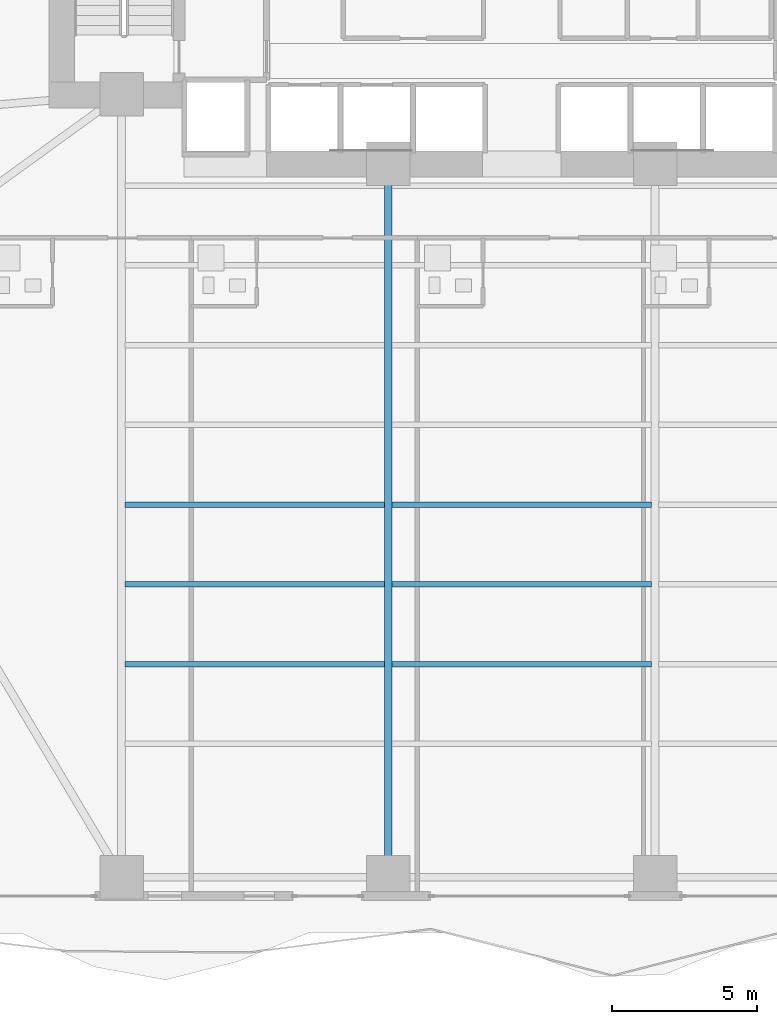
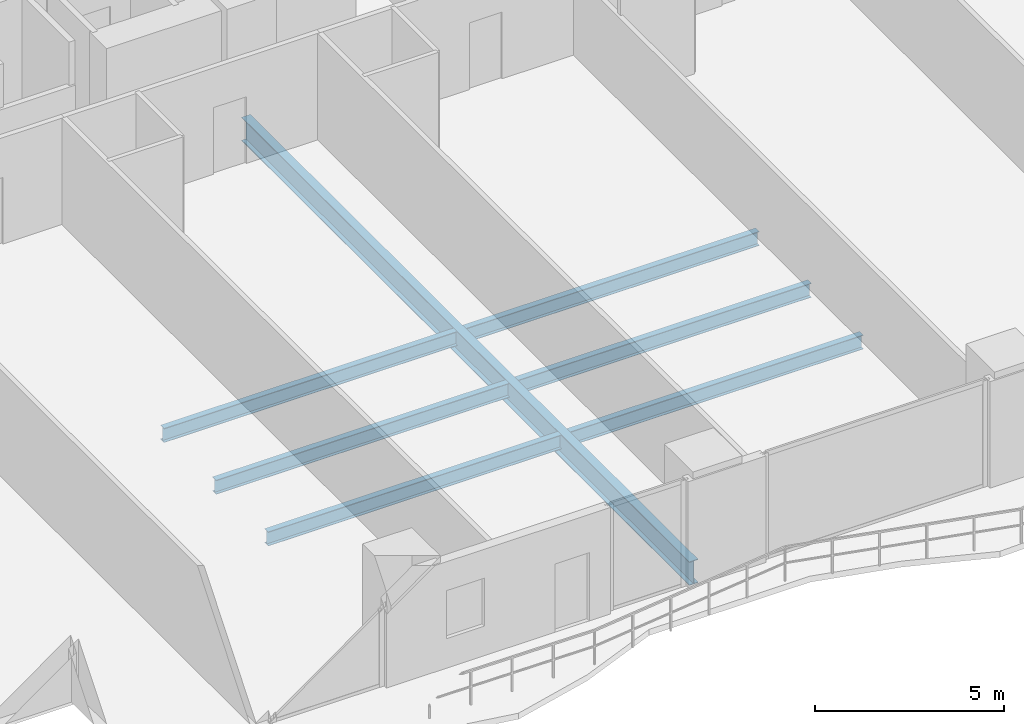
# One storey, part 5 of 28: 7 beams.
"""IFC4 building model written with IfcOpenShell, lengths in metres."""

from ifc_helpers import new_model, si_unit, direction, frame, origin, origin_2d, place, context, subcontext, project, spatial, i_section, extrude, material, material_profile, profile_set, type_object, element, save


model = new_model("IFC4")

# Units and contexts
model_context = context("Model", 3, precision=1e-05, world=origin(), true_north=direction((0.0, 1.0)))
body_context = subcontext(model_context, "Body", "Model", "MODEL_VIEW")
ifc_project = project(units=[si_unit("LENGTHUNIT", "METRE"), si_unit("AREAUNIT", "SQUARE_METRE"), si_unit("VOLUMEUNIT", "CUBIC_METRE"), si_unit("PLANEANGLEUNIT", "RADIAN"), si_unit("MASSUNIT", "GRAM", prefix="KILO")], contexts=[model_context])

# Site, building, storey
site_placement = place(None, origin())
site = spatial("IfcSite", under=ifc_project, at=site_placement, CompositionType="ELEMENT")
building_placement = place(site_placement, origin())
building = spatial("IfcBuilding", under=site, at=building_placement, Name="Zuhayl Quay Hotel", CompositionType="ELEMENT")
storey_placement = place(building_placement, frame((0.0, 0.0, 53.14990234375)))
storey = spatial("IfcBuildingStorey", under=building, at=storey_placement, Name="L12", CompositionType="ELEMENT", Elevation=53.14990234375)

# Beams
ifc_material = material(Name="Steel ASTM A992 Grade 50", Category="steel")
ifc_material_profile_1 = material_profile(ifc_material, i_section(OverallWidth=0.26708984375, OverallDepth=0.761962890625, WebThickness=0.014404296875, FlangeThickness=0.021484375, at=origin_2d()), Name="W30X116")
ifc_profile_set_1 = profile_set([ifc_material_profile_1], Name="Steel ASTM A992 Grade 50")
beam_type_1 = type_object("IfcBeamType", Name="BM_B1_W30X116", PredefinedType="BEAM", material=ifc_profile_set_1)
beam_1_placement = place(storey_placement, frame((-4.60009765625, -21.949951171875, -0.600830078125), z_axis=(0.0, 1.0, 0.0), x_axis=(-1.0, 0.0, 0.0)))
element("IfcBeam", 1, at=beam_1_placement, inside=storey, type_object=beam_type_1, Name="L12 Floor Beam FG_S_L12_2", PredefinedType="BEAM", context=body_context, shape_type="SweptSolid", body=[
    extrude(i_section(OverallWidth=0.26708984375, OverallDepth=0.761962890625, WebThickness=0.014404296875, FlangeThickness=0.021484375, at=origin_2d()), origin(), (0.0, 0.0, 1.0), 23.64990234375),
])
ifc_material_profile_2 = material_profile(ifc_material, i_section(OverallWidth=0.18994140625, OverallDepth=0.45703125, WebThickness=0.009033203125, FlangeThickness=0.014404296875, at=origin_2d()), Name="W18X50")
ifc_profile_set_2 = profile_set([ifc_material_profile_2], Name="Steel ASTM A992 Grade 50")
beam_type_2 = type_object("IfcBeamType", Name="BM_J2_W18X50", PredefinedType="JOIST", material=ifc_profile_set_2)
beam_2_placement = place(storey_placement, frame((-13.674560546875, -15.10009765625, -0.448486328125), z_axis=(1.0, 0.0, 0.0), x_axis=(0.0, 1.0, 0.0)))
element("IfcBeam", 2, at=beam_2_placement, inside=storey, type_object=beam_type_2, Name="L12 Floor Beam FJ_L12_4_1", PredefinedType="JOIST", context=body_context, shape_type="SweptSolid", body=[
    extrude(i_section(OverallWidth=0.18994140625, OverallDepth=0.45703125, WebThickness=0.009033203125, FlangeThickness=0.014404296875, at=origin_2d()), origin(), (0.0, 0.0, 1.0), 8.948974609375),
])
beam_3_placement = place(storey_placement, frame((-4.474609375, -15.10009765625, -0.448486328125), z_axis=(1.0, 0.0, 0.0), x_axis=(0.0, 1.0, 0.0)))
element("IfcBeam", 3, at=beam_3_placement, inside=storey, type_object=beam_type_2, Name="L12 Floor Beam FJ_L12_4_2", PredefinedType="JOIST", context=body_context, shape_type="SweptSolid", body=[
    extrude(i_section(OverallWidth=0.18994140625, OverallDepth=0.45703125, WebThickness=0.009033203125, FlangeThickness=0.014404296875, at=origin_2d()), origin(), (0.0, 0.0, 1.0), 8.94921875),
])
beam_4_placement = place(storey_placement, frame((-13.674560546875, -12.35009765625, -0.448486328125), z_axis=(1.0, 0.0, 0.0), x_axis=(0.0, 1.0, 0.0)))
element("IfcBeam", 4, at=beam_4_placement, inside=storey, type_object=beam_type_2, Name="L12 Floor Beam FJ_L12_5_1", PredefinedType="JOIST", context=body_context, shape_type="SweptSolid", body=[
    extrude(i_section(OverallWidth=0.18994140625, OverallDepth=0.45703125, WebThickness=0.009033203125, FlangeThickness=0.014404296875, at=origin_2d()), origin(), (0.0, 0.0, 1.0), 8.948974609375),
])
beam_5_placement = place(storey_placement, frame((-4.474609375, -12.35009765625, -0.448486328125), z_axis=(1.0, 0.0, 0.0), x_axis=(0.0, 1.0, 0.0)))
element("IfcBeam", 5, at=beam_5_placement, inside=storey, type_object=beam_type_2, Name="L12 Floor Beam FJ_L12_5_2", PredefinedType="JOIST", context=body_context, shape_type="SweptSolid", body=[
    extrude(i_section(OverallWidth=0.18994140625, OverallDepth=0.45703125, WebThickness=0.009033203125, FlangeThickness=0.014404296875, at=origin_2d()), origin(), (0.0, 0.0, 1.0), 8.94921875),
])
beam_6_placement = place(storey_placement, frame((-13.674560546875, -9.60009765625, -0.448486328125), z_axis=(1.0, 0.0, 0.0), x_axis=(0.0, 1.0, 0.0)))
element("IfcBeam", 6, at=beam_6_placement, inside=storey, type_object=beam_type_2, Name="L12 Floor Beam FJ_L12_6_1", PredefinedType="JOIST", context=body_context, shape_type="SweptSolid", body=[
    extrude(i_section(OverallWidth=0.18994140625, OverallDepth=0.45703125, WebThickness=0.009033203125, FlangeThickness=0.014404296875, at=origin_2d()), origin(), (0.0, 0.0, 1.0), 8.948974609375),
])
beam_7_placement = place(storey_placement, frame((-4.474609375, -9.60009765625, -0.448486328125), z_axis=(1.0, 0.0, 0.0), x_axis=(0.0, 1.0, 0.0)))
element("IfcBeam", 7, at=beam_7_placement, inside=storey, type_object=beam_type_2, Name="L12 Floor Beam FJ_L12_6_2", PredefinedType="JOIST", context=body_context, shape_type="SweptSolid", body=[
    extrude(i_section(OverallWidth=0.18994140625, OverallDepth=0.45703125, WebThickness=0.009033203125, FlangeThickness=0.014404296875, at=origin_2d()), origin(), (0.0, 0.0, 1.0), 8.94921875),
])

save(model, "model.ifc")
